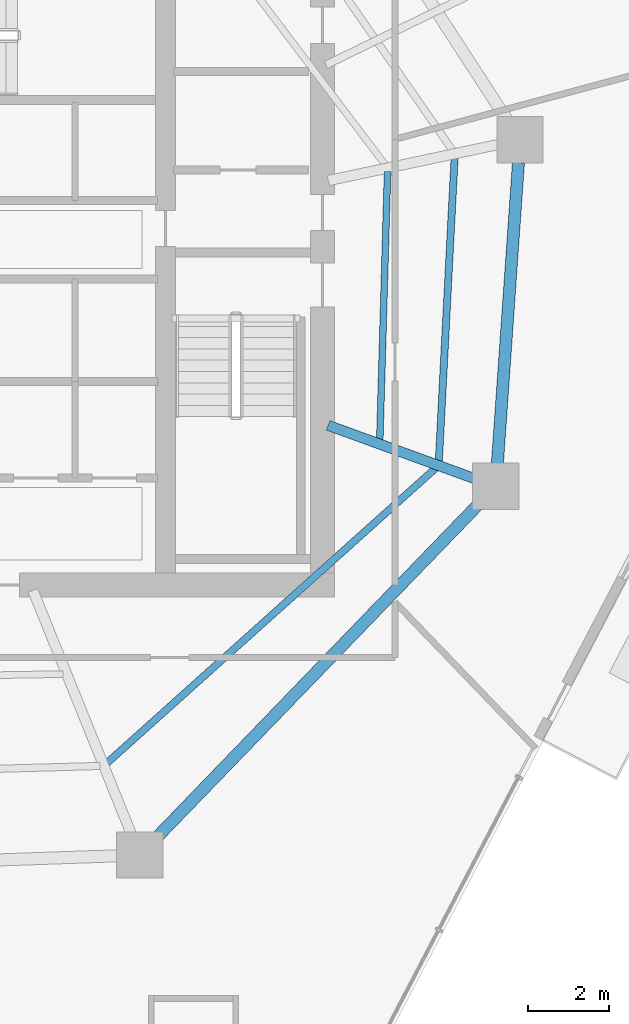
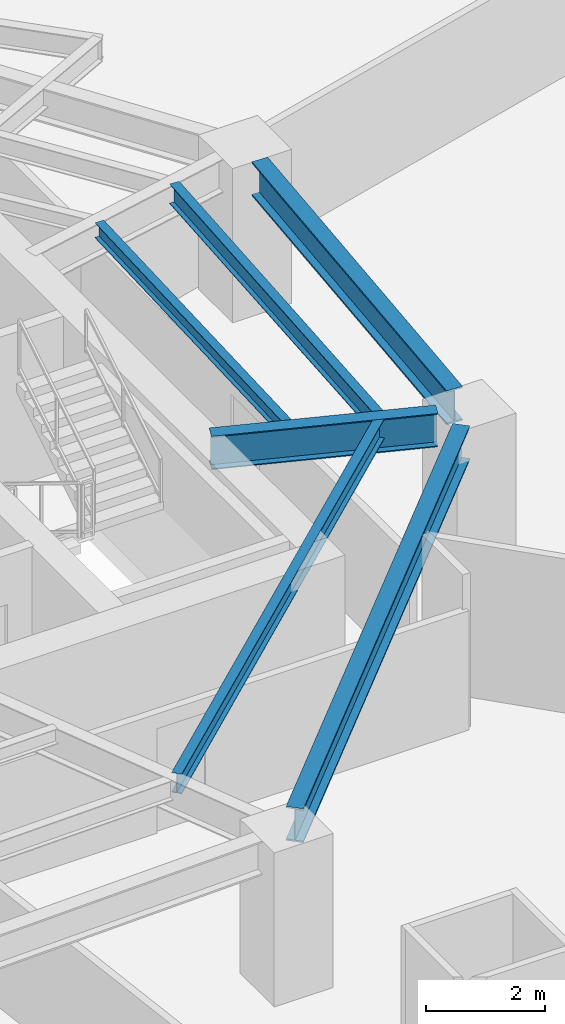
# One storey, part 10 of 25: 6 beams.
"""IFC4 building model written with IfcOpenShell, lengths in metres."""

from ifc_helpers import new_model, si_unit, direction, frame, origin, origin_2d, place, context, subcontext, project, spatial, i_section, extrude, material, material_profile, profile_set, type_object, element, save


model = new_model("IFC4")

# Units and contexts
model_context = context("Model", 3, precision=1e-05, world=origin(), true_north=direction((0.0, 1.0)))
body_context = subcontext(model_context, "Body", "Model", "MODEL_VIEW")
ifc_project = project(units=[si_unit("LENGTHUNIT", "METRE"), si_unit("AREAUNIT", "SQUARE_METRE"), si_unit("VOLUMEUNIT", "CUBIC_METRE"), si_unit("PLANEANGLEUNIT", "RADIAN"), si_unit("MASSUNIT", "GRAM", prefix="KILO")], contexts=[model_context])

# Site, building, storey
site_placement = place(None, origin())
site = spatial("IfcSite", under=ifc_project, at=site_placement, CompositionType="ELEMENT")
building_placement = place(site_placement, origin())
building = spatial("IfcBuilding", under=site, at=building_placement, Name="Qarnah Convention Tower", CompositionType="ELEMENT")
storey_placement = place(building_placement, frame((0.0, 0.0, 76.35009765625)))
storey = spatial("IfcBuildingStorey", under=building, at=storey_placement, Name="L19", CompositionType="ELEMENT", Elevation=76.35009765625)

# Beams
ifc_material = material(Name="Structural steel S355JR", Category="steel")
ifc_material_profile_1 = material_profile(ifc_material, i_section(OverallWidth=0.166015625, OverallDepth=0.31201171875, WebThickness=0.007080078125, FlangeThickness=0.010986328125, at=origin_2d()), Name="W310X45")
ifc_profile_set_1 = profile_set([ifc_material_profile_1], Name="Structural steel S355JR")
beam_type_1 = type_object("IfcBeamType", Name="BM-JST-W310", PredefinedType="JOIST", material=ifc_profile_set_1)
beam_1_placement = place(storey_placement, frame((49.02392578125, 22.18701171875, 3.013916015625), z_axis=(0.028906133337, 0.99958213042, 0.0), x_axis=(-0.99958213042, 0.028906133337, 0.0)))
element("IfcBeam", 1, at=beam_1_placement, inside=storey, type_object=beam_type_1, Name="L19 joist BM-L19-IJST-09", PredefinedType="JOIST", context=body_context, shape_type="SweptSolid", body=[
    extrude(i_section(OverallWidth=0.166015625, OverallDepth=0.31201171875, WebThickness=0.007080078125, FlangeThickness=0.010986328125, at=origin_2d()), origin(), (0.0, 0.0, 1.0), 6.6806640625),
])
ifc_material_profile_2 = material_profile(ifc_material, i_section(OverallWidth=0.177978515625, OverallDepth=0.407958984375, WebThickness=0.008056640625, FlangeThickness=0.012939453125, at=origin_2d()), Name="W410X60")
ifc_profile_set_2 = profile_set([ifc_material_profile_2], Name="Structural steel S355JR")
beam_type_2 = type_object("IfcBeamType", Name="BM-JST-W410", PredefinedType="JOIST", material=ifc_profile_set_2)
beam_2_placement = place(storey_placement, frame((42.235107421875, 14.1640625, 2.9658203125), z_axis=(0.744411827148, 0.667720773679, 0.0), x_axis=(-0.667720773679, 0.744411827148, 0.0)))
element("IfcBeam", 2, at=beam_2_placement, inside=storey, type_object=beam_type_2, Name="L19 joist BM-L19-SJST-08", PredefinedType="JOIST", context=body_context, shape_type="SweptSolid", body=[
    extrude(i_section(OverallWidth=0.177978515625, OverallDepth=0.407958984375, WebThickness=0.008056640625, FlangeThickness=0.012939453125, at=origin_2d()), origin(), (0.0, 0.0, 1.0), 10.992431640625),
])
beam_3_placement = place(storey_placement, frame((50.489990234375, 21.654052734375, 2.9658203125), z_axis=(0.051882273789, 0.998653207909, 0.0), x_axis=(-0.998653207909, 0.051882273789, 0.0)))
element("IfcBeam", 3, at=beam_3_placement, inside=storey, type_object=beam_type_2, Name="L19 joist BM-L19-SJST-09", PredefinedType="JOIST", context=body_context, shape_type="SweptSolid", body=[
    extrude(i_section(OverallWidth=0.177978515625, OverallDepth=0.407958984375, WebThickness=0.008056640625, FlangeThickness=0.012939453125, at=origin_2d()), origin(), (0.0, 0.0, 1.0), 7.576171875),
])
ifc_material_profile_3 = material_profile(ifc_material, i_section(OverallWidth=0.25390625, OverallDepth=0.68798828125, WebThickness=0.012939453125, FlangeThickness=0.02099609375, at=origin_2d()), Name="W690X152")
ifc_profile_set_3 = profile_set([ifc_material_profile_3], Name="Structural steel S355JR")
beam_type_3 = type_object("IfcBeamType", Name="BM-RAD-W690", PredefinedType="BEAM", material=ifc_profile_set_3)
beam_4_placement = place(storey_placement, frame((47.740966796875, 22.56298828125, 2.825927734375), z_axis=(0.93969593668, -0.342011032845, 0.0), x_axis=(0.342011032845, 0.93969593668, 0.0)))
element("IfcBeam", 4, at=beam_4_placement, inside=storey, type_object=beam_type_3, Name="L19 beam BM-L19-RAD-09", PredefinedType="BEAM", context=body_context, shape_type="SweptSolid", body=[
    extrude(i_section(OverallWidth=0.25390625, OverallDepth=0.68798828125, WebThickness=0.012939453125, FlangeThickness=0.02099609375, at=origin_2d()), origin(), (0.0, 0.0, 1.0), 3.876953125),
])
ifc_material_profile_4 = material_profile(ifc_material, i_section(OverallWidth=0.300048828125, OverallDepth=0.699951171875, WebThickness=0.01708984375, FlangeThickness=0.031982421875, at=origin_2d()), Name="HEB700")
ifc_profile_set_4 = profile_set([ifc_material_profile_4], Name="Structural steel S355JR")
beam_type_4 = type_object("IfcBeamType", Name="BM-RING-HEB700", PredefinedType="BEAM", material=ifc_profile_set_4)
beam_5_placement = place(storey_placement, frame((43.455078125, 12.2958984375, 2.81982421875), z_axis=(0.694656478954, 0.719341626939, 0.0), x_axis=(-0.719341626939, 0.694656478954, 0.0)))
element("IfcBeam", 5, at=beam_5_placement, inside=storey, type_object=beam_type_4, Name="L19 beam BM-L19-SPN-08", PredefinedType="BEAM", context=body_context, shape_type="SweptSolid", body=[
    extrude(i_section(OverallWidth=0.300048828125, OverallDepth=0.699951171875, WebThickness=0.01708984375, FlangeThickness=0.031982421875, at=origin_2d()), origin(), (0.0, 0.0, 1.0), 11.60107421875),
])
beam_6_placement = place(storey_placement, frame((51.945068359375, 21.611083984375, 2.81982421875), z_axis=(0.069881623509, 0.997555291047, 0.0), x_axis=(-0.997555291047, 0.069881623509, 0.0)))
element("IfcBeam", 6, at=beam_6_placement, inside=storey, type_object=beam_type_4, Name="L19 beam BM-L19-SPN-09", PredefinedType="BEAM", context=body_context, shape_type="SweptSolid", body=[
    extrude(i_section(OverallWidth=0.300048828125, OverallDepth=0.699951171875, WebThickness=0.01708984375, FlangeThickness=0.031982421875, at=origin_2d()), origin(), (0.0, 0.0, 1.0), 7.497314453125),
])

save(model, "model.ifc")
